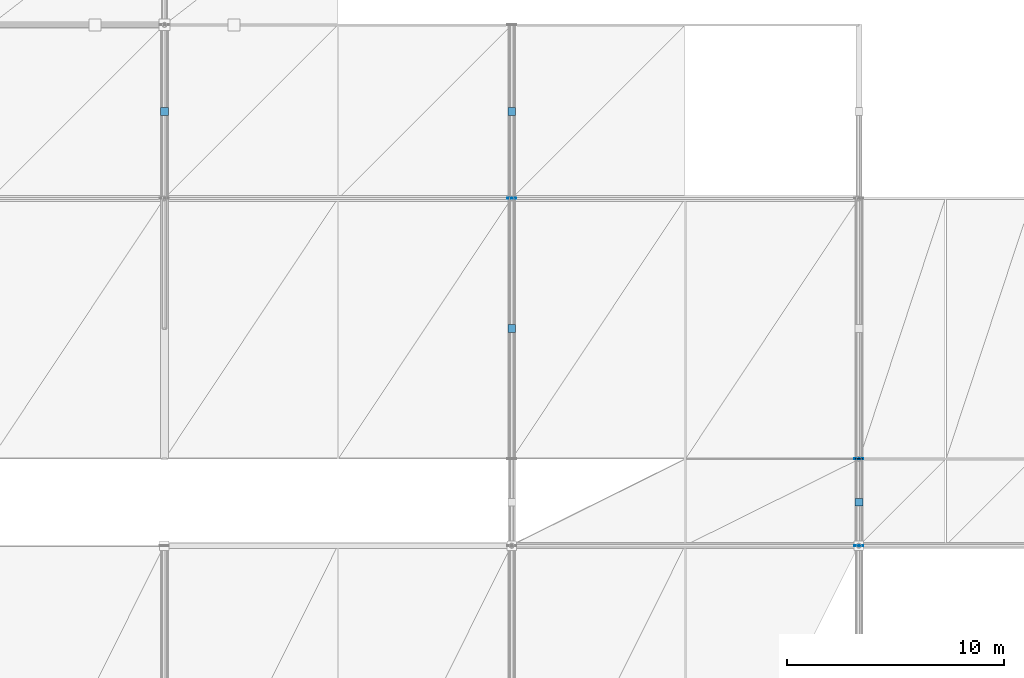
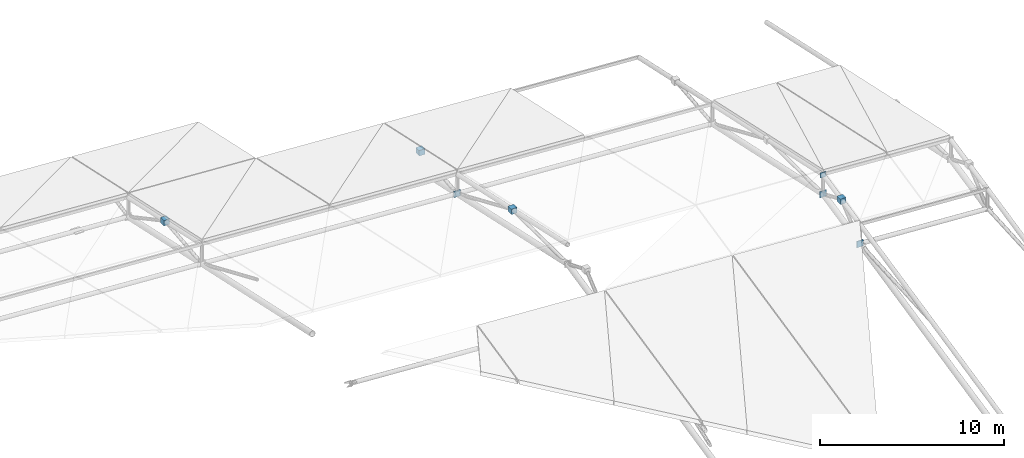
# One storey, part 61 of 67: 8 discrete accessories.
"""IFC4 building model written with IfcOpenShell, lengths in metres."""

from ifc_helpers import new_model, si_unit, direction, frame, origin, origin_2d, place, context, subcontext, project, spatial, rectangle, extrude, material, type_object, element, save


model = new_model("IFC4")

# Units and contexts
model_context = context("Model", 3, precision=1e-05, world=origin(), true_north=direction((0.0, 1.0)))
body_context = subcontext(model_context, "Body", "Model", "MODEL_VIEW")
ifc_project = project(units=[si_unit("LENGTHUNIT", "METRE"), si_unit("AREAUNIT", "SQUARE_METRE"), si_unit("VOLUMEUNIT", "CUBIC_METRE"), si_unit("PLANEANGLEUNIT", "RADIAN"), si_unit("MASSUNIT", "GRAM", prefix="KILO")], contexts=[model_context])

# Site, building, storey
site_placement = place(None, origin())
site = spatial("IfcSite", under=ifc_project, at=site_placement, CompositionType="ELEMENT")
building_placement = place(site_placement, origin())
building = spatial("IfcBuilding", under=site, at=building_placement, Name="Drelvath Fold Interchange", CompositionType="ELEMENT")
storey_placement = place(building_placement, frame((0.0, 0.0, 15.60009765625)))
storey = spatial("IfcBuildingStorey", under=building, at=storey_placement, Name="L03", CompositionType="ELEMENT", Elevation=15.60009765625)

# Discrete accessories
ifc_material = material(Name="Steel ASTM A572 Grade 50", Category="steel")
discrete_accessory_type = type_object("IfcDiscreteAccessoryType", Name="AC-CAP380", PredefinedType="BRACKET", material=ifc_material)
discrete_accessory_1_placement = place(storey_placement, frame((134.0, 63.0048828125, 2.137451171875), z_axis=(0.0, 0.0, 1.0), x_axis=(1.0, 0.0, 0.0)))
element("IfcDiscreteAccessory", 1, at=discrete_accessory_1_placement, inside=storey, type_object=discrete_accessory_type, Name="Welded hollow member end cap 226", PredefinedType="BRACKET", context=body_context, shape_type="SweptSolid", body=[
    extrude(rectangle(XDim=0.35888671875, YDim=0.35888671875, at=origin_2d()), origin(), (0.0, 0.0, 1.0), 0.35888671875),
])
discrete_accessory_2_placement = place(storey_placement, frame((150.0, 59.0048828125, 0.746826171875), z_axis=(0.0, 0.0, 1.0), x_axis=(1.0, 0.0, 0.0)))
element("IfcDiscreteAccessory", 2, at=discrete_accessory_2_placement, inside=storey, type_object=discrete_accessory_type, Name="Welded hollow member end cap 239", PredefinedType="BRACKET", context=body_context, shape_type="SweptSolid", body=[
    extrude(rectangle(XDim=0.416015625, YDim=0.0400390625, at=origin_2d()), origin(), (0.0, 0.0, 1.0), 0.416015625),
])
for number, where, z_axis, x_axis, name in (
    (3, (150.0, 53.0048828125, 3.3544921875), (0.0, 0.0, 1.0), (1.0, 0.0, 0.0), "Welded hollow member end cap 240"),
    (4, (150.0, 63.0048828125, 1.174560546875), (0.0, 0.0, 1.0), (1.0, 0.0, 0.0), "Welded hollow member end cap 242"),
):
    element("IfcDiscreteAccessory", number, at=place(storey_placement, frame(where, z_axis=z_axis, x_axis=x_axis)), inside=storey, type_object=discrete_accessory_type, Name=name, PredefinedType="BRACKET", context=body_context, shape_type="SweptSolid", body=[
        extrude(rectangle(XDim=0.35888671875, YDim=0.35888671875, at=origin_2d()), origin(), (0.0, 0.0, 1.0), 0.35888671875),
    ])
for number, where, z_axis, x_axis, name in (
    (5, (166.0, 43.0048828125, 1.531005859375), (0.0, 0.0, 1.0), (1.0, 0.0, 0.0), "Welded hollow member end cap 250"),
    (6, (166.0, 47.0048828125, 2.40283203125), (0.0, 0.0, 1.0), (1.0, 0.0, 0.0), "Welded hollow member end cap 252"),
):
    element("IfcDiscreteAccessory", number, at=place(storey_placement, frame(where, z_axis=z_axis, x_axis=x_axis)), inside=storey, type_object=discrete_accessory_type, Name=name, PredefinedType="BRACKET", context=body_context, shape_type="SweptSolid", body=[
        extrude(rectangle(XDim=0.416015625, YDim=0.0400390625, at=origin_2d()), origin(), (0.0, 0.0, 1.0), 0.416015625),
    ])
discrete_accessory_3_placement = place(storey_placement, frame((166.0, 47.0048828125, 3.71435546875), z_axis=(0.0, 0.0, 1.0), x_axis=(1.0, 0.0, 0.0)))
element("IfcDiscreteAccessory", 7, at=discrete_accessory_3_placement, inside=storey, type_object=discrete_accessory_type, Name="Welded hollow member end cap 253", PredefinedType="BRACKET", context=body_context, shape_type="SweptSolid", body=[
    extrude(rectangle(XDim=0.3330078125, YDim=0.0400390625, at=origin_2d()), origin(), (0.0, 0.0, 1.0), 0.3330078125),
])
discrete_accessory_4_placement = place(storey_placement, frame((166.0, 45.00390625, 3.267578125), z_axis=(0.0, 0.0, 1.0), x_axis=(1.0, 0.0, 0.0)))
element("IfcDiscreteAccessory", 8, at=discrete_accessory_4_placement, inside=storey, type_object=discrete_accessory_type, Name="Welded hollow member end cap 254", PredefinedType="BRACKET", context=body_context, shape_type="SweptSolid", body=[
    extrude(rectangle(XDim=0.35888671875, YDim=0.35888671875, at=origin_2d()), origin(), (0.0, 0.0, 1.0), 0.35888671875),
])

save(model, "model.ifc")
